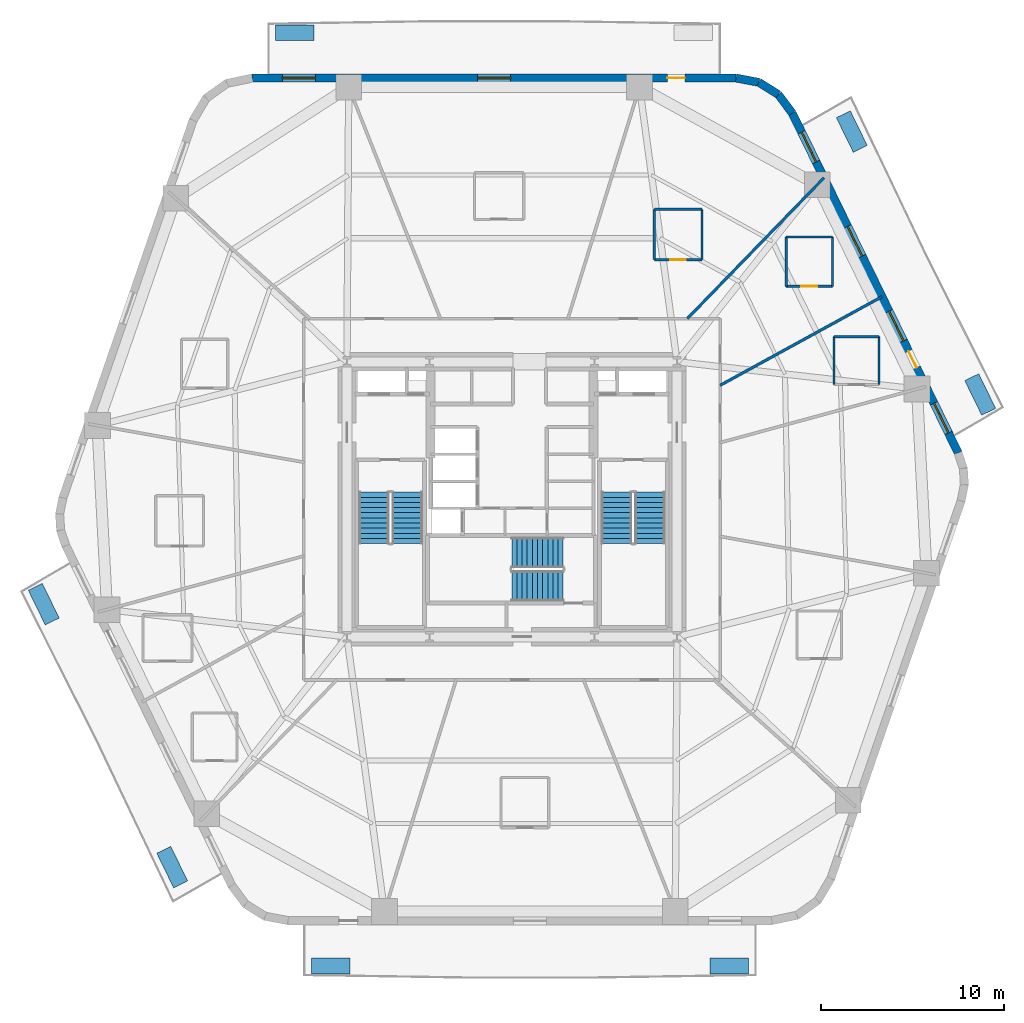
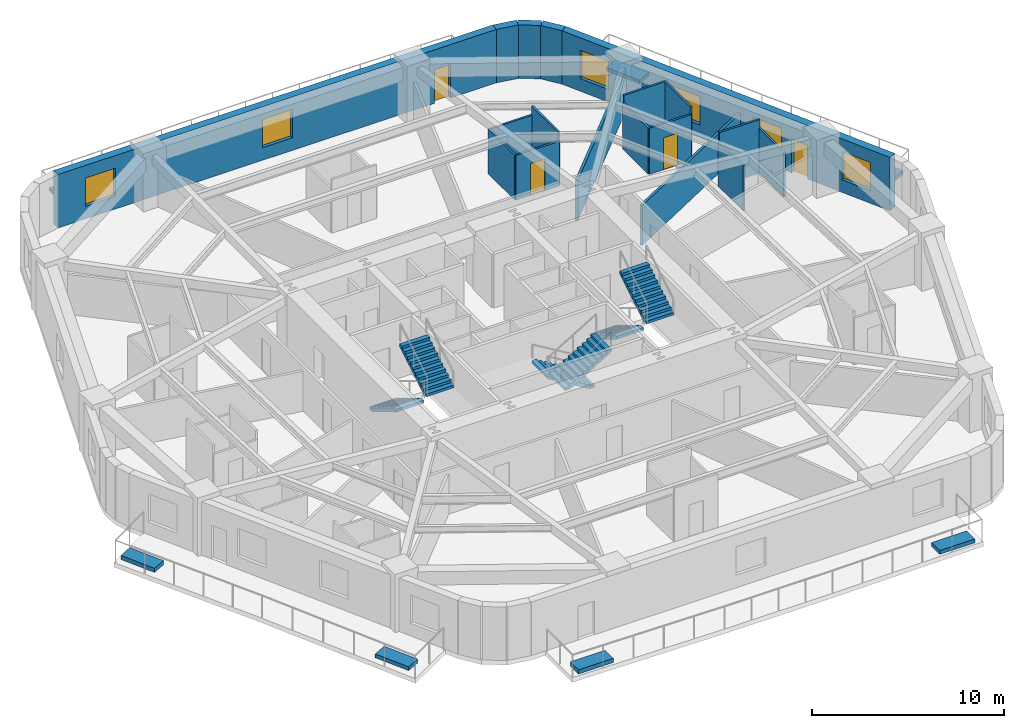
# One storey, part 6 of 10: 18 walls, 7 discrete accessories, 6 stair flights, 6 windows, 4 doors, 10 openings, 3 elements without a shape of their own.
"""IFC4 building model written with IfcOpenShell, lengths in metres."""

from ifc_helpers import new_model, si_unit, direction, frame, frame_2d, origin, origin_2d, place, context, subcontext, project, spatial, polyline, rectangle, outline, extrude, material, layer, layer_set, type_object, element, fill, aggregate, save


model = new_model("IFC4")

# Units and contexts
model_context = context("Model", 3, precision=1e-05, world=origin(), true_north=direction((0.0, 1.0)))
body_context = subcontext(model_context, "Body", "Model", "MODEL_VIEW")
ifc_project = project(units=[si_unit("LENGTHUNIT", "METRE"), si_unit("AREAUNIT", "SQUARE_METRE"), si_unit("VOLUMEUNIT", "CUBIC_METRE"), si_unit("PLANEANGLEUNIT", "RADIAN"), si_unit("MASSUNIT", "GRAM", prefix="KILO")], contexts=[model_context])

# Site, building, storey
site_placement = place(None, origin())
site = spatial("IfcSite", under=ifc_project, at=site_placement, CompositionType="ELEMENT")
building_placement = place(site_placement, origin())
building = spatial("IfcBuilding", under=site, at=building_placement, Name="Kilnhurst Terrace Hotel", CompositionType="ELEMENT")
storey_placement = place(building_placement, frame((0.0, 0.0, 63.800048828125)))
storey = spatial("IfcBuildingStorey", under=building, at=storey_placement, Name="L14", CompositionType="ELEMENT", Elevation=63.800048828125)

# Walls
ifc_material_1 = material(Name="Precast concrete C40/50", Category="concrete")
ifc_layer_1 = layer(ifc_material_1, 0.449951171875, Name="Precast concrete C40/50")
ifc_layer_set_1 = layer_set([ifc_layer_1], Name="Precast concrete C40/50")
wall_type_1 = type_object("IfcWallType", Name="WL-BRK-450", PredefinedType="SOLIDWALL", material=ifc_layer_set_1)
wall_1_placement = place(storey_placement, frame((15.28369140625, 21.0625, 0.0), z_axis=(0.0, 0.0, 1.0), x_axis=(-0.597595366449, 0.801797841104, 0.0)))
element("IfcWall", 1, at=wall_1_placement, inside=storey, type_object=wall_type_1, Name="L14 Rounded Corner Brick Wall C4.1", PredefinedType="SOLIDWALL", context=body_context, shape_type="SweptSolid", body=[
    extrude(rectangle(XDim=1.2685546875, YDim=0.449951171875, at=frame_2d((0.63427734375, 0.0))), origin(), (0.0, 0.0, 1.0), 3.39990234375),
])
wall_2_placement = place(storey_placement, frame((14.525634765625, 22.07958984375, 0.0), z_axis=(0.0, 0.0, 1.0), x_axis=(-0.848185203596, 0.529699783275, 0.0)))
element("IfcWall", 2, at=wall_2_placement, inside=storey, type_object=wall_type_1, Name="L14 Rounded Corner Brick Wall C4.2", PredefinedType="SOLIDWALL", context=body_context, shape_type="SweptSolid", body=[
    extrude(rectangle(XDim=1.247314453125, YDim=0.449951171875, at=frame_2d((0.62353515625, 0.0))), origin(), (0.0, 0.0, 1.0), 3.39990234375),
])
wall_3_placement = place(storey_placement, frame((13.4677734375, 22.740234375, 0.0), z_axis=(0.0, 0.0, 1.0), x_axis=(-0.982717174228, 0.185113358451, 0.0)))
element("IfcWall", 3, at=wall_3_placement, inside=storey, type_object=wall_type_1, Name="L14 Rounded Corner Brick Wall C4.3", PredefinedType="SOLIDWALL", context=body_context, shape_type="SweptSolid", body=[
    extrude(rectangle(XDim=1.268798828125, YDim=0.449951171875, at=frame_2d((0.63427734375, 0.0))), origin(), (0.0, 0.0, 1.0), 3.39990234375),
])

# Wall, openings, door, windows
wall_4_placement = place(storey_placement, frame((24.335693359375, 2.532470703125, 0.0), z_axis=(0.0, 0.0, 1.0), x_axis=(-0.438931326393, 0.898520612291, 0.0)))
wall_4 = element("IfcWall", 4, at=wall_4_placement, inside=storey, type_object=wall_type_1, Name="L14 Exterior Brick Facade Wall F3", PredefinedType="SOLIDWALL", context=body_context, shape_type="SweptSolid", body=[
    extrude(rectangle(XDim=20.622802734375, YDim=0.449951171875, at=frame_2d((10.3115234375, 0.0))), origin(), (0.0, 0.0, 1.0), 3.39990234375),
])
opening_1_placement = place(wall_4_placement, frame((5.1708984375, 0.0, 0.0)))
opening_1 = element("IfcOpeningElement", 5, at=opening_1_placement, cuts=wall_4, Name="Opening BD-1000", PredefinedType="OPENING", context=body_context, shape_type="SweptSolid", body=[
    extrude(rectangle(XDim=1.0, YDim=2.14990234375, at=frame_2d((0.5, 1.074951171875))), frame((0.0, 0.23486328125, 0.0), z_axis=(0.0, -1.0, 0.0), x_axis=(1.0, 0.0, 0.0)), (0.0, 0.0, 1.0), 0.469970703125),
])
opening_2_placement = place(wall_4_placement, frame((6.800048828125, 0.0, 0.800048828125)))
opening_2 = element("IfcOpeningElement", 6, at=opening_2_placement, cuts=wall_4, Name="Opening W-01", PredefinedType="OPENING", context=body_context, shape_type="SweptSolid", body=[
    extrude(rectangle(XDim=1.800048828125, YDim=1.800048828125, at=frame_2d((0.89990234375, 0.89990234375))), frame((0.0, 0.23486328125, 0.0), z_axis=(0.0, -1.0, 0.0), x_axis=(1.0, 0.0, 0.0)), (0.0, 0.0, 1.0), 0.469970703125),
])
opening_3_placement = place(wall_4_placement, frame((11.94189453125, 0.0, 0.800048828125)))
opening_3 = element("IfcOpeningElement", 7, at=opening_3_placement, cuts=wall_4, Name="Opening W-01", PredefinedType="OPENING", context=body_context, shape_type="SweptSolid", body=[
    extrude(rectangle(XDim=1.800048828125, YDim=1.800048828125, at=frame_2d((0.89990234375, 0.89990234375))), frame((0.0, 0.23486328125, 0.0), z_axis=(0.0, -1.0, 0.0), x_axis=(1.0, 0.0, 0.0)), (0.0, 0.0, 1.0), 0.469970703125),
])
opening_4_placement = place(wall_4_placement, frame((17.659912109375, 0.0, 0.800048828125)))
opening_4 = element("IfcOpeningElement", 8, at=opening_4_placement, cuts=wall_4, Name="Opening W-01", PredefinedType="OPENING", context=body_context, shape_type="SweptSolid", body=[
    extrude(rectangle(XDim=1.800048828125, YDim=1.800048828125, at=frame_2d((0.89990234375, 0.89990234375))), frame((0.0, 0.23486328125, 0.0), z_axis=(0.0, -1.0, 0.0), x_axis=(1.0, 0.0, 0.0)), (0.0, 0.0, 1.0), 0.469970703125),
])
opening_5_placement = place(wall_4_placement, frame((1.214111328125, 0.0, 0.800048828125)))
opening_5 = element("IfcOpeningElement", 9, at=opening_5_placement, cuts=wall_4, Name="Opening W-01", PredefinedType="OPENING", context=body_context, shape_type="SweptSolid", body=[
    extrude(rectangle(XDim=1.800048828125, YDim=1.800048828125, at=frame_2d((0.89990234375, 0.89990234375))), frame((0.0, 0.23486328125, 0.0), z_axis=(0.0, -1.0, 0.0), x_axis=(1.0, 0.0, 0.0)), (0.0, 0.0, 1.0), 0.469970703125),
])
ifc_material_2 = material(Name="Thermally Broken Bronze Aluminium Alloy 6063-T6 and Laminated Glass", Category="aluminium")
door_type_1 = type_object("IfcDoorType", Name="DR-EXT-BAL-1000", OperationType="NOTDEFINED", PredefinedType="DOOR", material=ifc_material_2)
door_1_placement = place(opening_1_placement, origin())
door_1 = element("IfcDoor", 10, at=door_1_placement, inside=storey, type_object=door_type_1, Name="L14 Planted Balcony Door BAL-L1A", OperationType="SINGLE_SWING_LEFT", OverallHeight=2.14990234375, OverallWidth=1.0, PredefinedType="DOOR", context=body_context, shape_type="SweptSolid", body=[
    extrude(rectangle(XDim=1.0, YDim=2.14990234375, at=frame_2d((0.5, 1.074951171875))), frame((0.0, 0.02490234375, 0.0), z_axis=(0.0, -1.0, 0.0), x_axis=(1.0, 0.0, 0.0)), (0.0, 0.0, 1.0), 0.050048828125),
])
fill(opening_1, door_1)
ifc_material_3 = material(Name="Thermally Broken Bronze Aluminium Alloy 6063-T6 and Low-E Glass", Category="aluminium")
window_type = type_object("IfcWindowType", Name="WIN-1800X1800", PartitioningType="SINGLE_PANEL", PredefinedType="WINDOW", material=ifc_material_3)
window_1_placement = place(opening_2_placement, origin())
window_1 = element("IfcWindow", 11, at=window_1_placement, inside=storey, type_object=window_type, Name="L14 Deep-Set Masonry Window F3.1", OverallHeight=1.800048828125, OverallWidth=1.800048828125, PartitioningType="SINGLE_PANEL", PredefinedType="WINDOW", context=body_context, shape_type="SweptSolid", body=[
    extrude(rectangle(XDim=1.800048828125, YDim=1.800048828125, at=frame_2d((0.89990234375, 0.89990234375))), frame((0.0, 0.030029296875, 0.0), z_axis=(0.0, -1.0, 0.0), x_axis=(1.0, 0.0, 0.0)), (0.0, 0.0, 1.0), 0.06005859375),
])
fill(opening_2, window_1)
window_2_placement = place(opening_3_placement, origin())
window_2 = element("IfcWindow", 12, at=window_2_placement, inside=storey, type_object=window_type, Name="L14 Deep-Set Masonry Window F3.2", OverallHeight=1.800048828125, OverallWidth=1.800048828125, PartitioningType="SINGLE_PANEL", PredefinedType="WINDOW", context=body_context, shape_type="SweptSolid", body=[
    extrude(rectangle(XDim=1.800048828125, YDim=1.800048828125, at=frame_2d((0.89990234375, 0.89990234375))), frame((0.0, 0.030029296875, 0.0), z_axis=(0.0, -1.0, 0.0), x_axis=(1.0, 0.0, 0.0)), (0.0, 0.0, 1.0), 0.06005859375),
])
fill(opening_3, window_2)
window_3_placement = place(opening_4_placement, origin())
window_3 = element("IfcWindow", 13, at=window_3_placement, inside=storey, type_object=window_type, Name="L14 Deep-Set Masonry Window F3.3", OverallHeight=1.800048828125, OverallWidth=1.800048828125, PartitioningType="SINGLE_PANEL", PredefinedType="WINDOW", context=body_context, shape_type="SweptSolid", body=[
    extrude(rectangle(XDim=1.800048828125, YDim=1.800048828125, at=frame_2d((0.89990234375, 0.89990234375))), frame((0.0, 0.030029296875, 0.0), z_axis=(0.0, -1.0, 0.0), x_axis=(1.0, 0.0, 0.0)), (0.0, 0.0, 1.0), 0.06005859375),
])
fill(opening_4, window_3)
window_4_placement = place(opening_5_placement, origin())
window_4 = element("IfcWindow", 14, at=window_4_placement, inside=storey, type_object=window_type, Name="L14 Deep-Set Masonry Window F3.4", OverallHeight=1.800048828125, OverallWidth=1.800048828125, PartitioningType="SINGLE_PANEL", PredefinedType="WINDOW", context=body_context, shape_type="SweptSolid", body=[
    extrude(rectangle(XDim=1.800048828125, YDim=1.800048828125, at=frame_2d((0.89990234375, 0.89990234375))), frame((0.0, 0.030029296875, 0.0), z_axis=(0.0, -1.0, 0.0), x_axis=(1.0, 0.0, 0.0)), (0.0, 0.0, 1.0), 0.06005859375),
])
fill(opening_5, window_4)

wall_5_placement = place(storey_placement, frame((12.220947265625, 22.97509765625, 0.0), z_axis=(0.0, 0.0, 1.0), x_axis=(-1.0, 0.0, 0.0)))
wall_5 = element("IfcWall", 15, at=wall_5_placement, inside=storey, type_object=wall_type_1, Name="L14 Exterior Brick Facade Wall F4", PredefinedType="SOLIDWALL", context=body_context, shape_type="SweptSolid", body=[
    extrude(rectangle(XDim=26.38916015625, YDim=0.449951171875, at=frame_2d((13.194580078125, 0.0))), origin(), (0.0, 0.0, 1.0), 3.39990234375),
])
opening_6_placement = place(wall_5_placement, frame((2.799072265625, 0.0, 0.0)))
opening_6 = element("IfcOpeningElement", 16, at=opening_6_placement, cuts=wall_5, Name="Opening BD-950", PredefinedType="OPENING", context=body_context, shape_type="SweptSolid", body=[
    extrude(rectangle(XDim=0.949951171875, YDim=2.14990234375, at=frame_2d((0.47509765625, 1.074951171875))), frame((0.0, 0.23486328125, 0.0), z_axis=(0.0, -1.0, 0.0), x_axis=(1.0, 0.0, 0.0)), (0.0, 0.0, 1.0), 0.469970703125),
])
opening_7_placement = place(wall_5_placement, frame((12.2958984375, 0.0, 0.800048828125)))
opening_7 = element("IfcOpeningElement", 17, at=opening_7_placement, cuts=wall_5, Name="Opening W-01", PredefinedType="OPENING", context=body_context, shape_type="SweptSolid", body=[
    extrude(rectangle(XDim=1.800048828125, YDim=1.800048828125, at=frame_2d((0.89990234375, 0.89990234375))), frame((0.0, 0.23486328125, 0.0), z_axis=(0.0, -1.0, 0.0), x_axis=(1.0, 0.0, 0.0)), (0.0, 0.0, 1.0), 0.469970703125),
])
opening_8_placement = place(wall_5_placement, frame((22.93798828125, 0.0, 0.800048828125)))
opening_8 = element("IfcOpeningElement", 18, at=opening_8_placement, cuts=wall_5, Name="Opening W-01", PredefinedType="OPENING", context=body_context, shape_type="SweptSolid", body=[
    extrude(rectangle(XDim=1.800048828125, YDim=1.800048828125, at=frame_2d((0.89990234375, 0.89990234375))), frame((0.0, 0.23486328125, 0.0), z_axis=(0.0, -1.0, 0.0), x_axis=(1.0, 0.0, 0.0)), (0.0, 0.0, 1.0), 0.469970703125),
])
door_type_2 = type_object("IfcDoorType", Name="DR-EXT-BAL-950", OperationType="NOTDEFINED", PredefinedType="DOOR", material=ifc_material_2)
door_2_placement = place(opening_6_placement, origin())
door_2 = element("IfcDoor", 19, at=door_2_placement, inside=storey, type_object=door_type_2, Name="L14 Planted Balcony Door BAL-L1B", OperationType="SINGLE_SWING_RIGHT", OverallHeight=2.14990234375, OverallWidth=0.949951171875, PredefinedType="DOOR", context=body_context, shape_type="SweptSolid", body=[
    extrude(rectangle(XDim=0.949951171875, YDim=2.14990234375, at=frame_2d((0.47509765625, 1.074951171875))), frame((0.0, 0.02490234375, 0.0), z_axis=(0.0, -1.0, 0.0), x_axis=(1.0, 0.0, 0.0)), (0.0, 0.0, 1.0), 0.050048828125),
])
fill(opening_6, door_2)
window_5_placement = place(opening_7_placement, origin())
window_5 = element("IfcWindow", 20, at=window_5_placement, inside=storey, type_object=window_type, Name="L14 Deep-Set Masonry Window F4.1", OverallHeight=1.800048828125, OverallWidth=1.800048828125, PartitioningType="SINGLE_PANEL", PredefinedType="WINDOW", context=body_context, shape_type="SweptSolid", body=[
    extrude(rectangle(XDim=1.800048828125, YDim=1.800048828125, at=frame_2d((0.89990234375, 0.89990234375))), frame((0.0, 0.030029296875, 0.0), z_axis=(0.0, -1.0, 0.0), x_axis=(1.0, 0.0, 0.0)), (0.0, 0.0, 1.0), 0.06005859375),
])
fill(opening_7, window_5)
window_6_placement = place(opening_8_placement, origin())
window_6 = element("IfcWindow", 21, at=window_6_placement, inside=storey, type_object=window_type, Name="L14 Deep-Set Masonry Window F4.2", OverallHeight=1.800048828125, OverallWidth=1.800048828125, PartitioningType="SINGLE_PANEL", PredefinedType="WINDOW", context=body_context, shape_type="SweptSolid", body=[
    extrude(rectangle(XDim=1.800048828125, YDim=1.800048828125, at=frame_2d((0.89990234375, 0.89990234375))), frame((0.0, 0.030029296875, 0.0), z_axis=(0.0, -1.0, 0.0), x_axis=(1.0, 0.0, 0.0)), (0.0, 0.0, 1.0), 0.06005859375),
])
fill(opening_8, window_6)

# Walls
ifc_material_4 = material(Name="STC-58 Acoustic Twin-Frame Guestroom Demising Partition")
ifc_layer_2 = layer(ifc_material_4, 0.14990234375, Name="STC-58 Acoustic Twin-Frame Guestroom Demising Partition")
ifc_layer_set_2 = layer_set([ifc_layer_2], Name="STC-58 Acoustic Twin-Frame Guestroom Demising Partition")
wall_type_2 = type_object("IfcWallType", Name="WL-DEM-150", PredefinedType="PARTITIONING", material=ifc_layer_set_2)
wall_6_placement = place(storey_placement, frame((11.35009765625, 6.216552734375, 0.0), z_axis=(0.0, 0.0, 1.0), x_axis=(0.877047587135, 0.480403507378, 0.0)))
element("IfcWall", 22, at=wall_6_placement, inside=storey, type_object=wall_type_2, Name="L14 Interior Wall WL-L14-DEM-MID01-02-1", PredefinedType="PARTITIONING", context=body_context, shape_type="SweptSolid", body=[
    extrude(rectangle(XDim=10.061767578125, YDim=0.14990234375, at=frame_2d((5.03076171875, 0.0))), origin(), (0.0, 0.0, 1.0), 2.5400390625),
])
wall_7_placement = place(storey_placement, frame((9.5576171875, 9.85009765625, 0.0), z_axis=(0.0, 0.0, 1.0), x_axis=(0.69638346089, 0.717669893056, 0.0)))
element("IfcWall", 23, at=wall_7_placement, inside=storey, type_object=wall_type_2, Name="L14 Interior Wall WL-L14-DEM-COL02-03-1", PredefinedType="PARTITIONING", context=body_context, shape_type="SweptSolid", body=[
    extrude(rectangle(XDim=10.700927734375, YDim=0.14990234375, at=frame_2d((5.3505859375, 0.0))), origin(), (0.0, 0.0, 1.0), 2.5400390625),
])
ifc_material_5 = material(Name="120 mm Moisture-Resistant Tile-Backed Bathroom Partition")
ifc_layer_3 = layer(ifc_material_5, 0.1201171875, Name="120 mm Moisture-Resistant Tile-Backed Bathroom Partition")
ifc_layer_set_3 = layer_set([ifc_layer_3], Name="120 mm Moisture-Resistant Tile-Backed Bathroom Partition")
wall_type_3 = type_object("IfcWallType", Name="WL-PART-120", PredefinedType="PARTITIONING", material=ifc_layer_set_3)
wall_8_placement = place(storey_placement, frame((20.007080078125, 6.258056640625, 0.0), z_axis=(0.0, 0.0, 1.0), x_axis=(0.0, 1.0, 0.0)))
element("IfcWall", 24, at=wall_8_placement, inside=storey, type_object=wall_type_3, Name="L14 Interior Wall WL-L14-BTH-01-2", PredefinedType="PARTITIONING", context=body_context, shape_type="SweptSolid", body=[
    extrude(rectangle(XDim=2.60986328125, YDim=0.1201171875, at=frame_2d((1.304931640625, 0.0))), origin(), (0.0, 0.0, 1.0), 2.83984375),
])
wall_9_placement = place(storey_placement, frame((20.007080078125, 8.867919921875, 0.0), z_axis=(0.0, 0.0, 1.0), x_axis=(-1.0, 0.0, 0.0)))
element("IfcWall", 25, at=wall_9_placement, inside=storey, type_object=wall_type_3, Name="L14 Interior Wall WL-L14-BTH-01-3", PredefinedType="PARTITIONING", context=body_context, shape_type="SweptSolid", body=[
    extrude(rectangle(XDim=2.440185546875, YDim=0.1201171875, at=frame_2d((1.22021484375, 0.0))), origin(), (0.0, 0.0, 1.0), 3.39990234375),
])
wall_10_placement = place(storey_placement, frame((17.56689453125, 8.867919921875, 0.0), z_axis=(0.0, 0.0, 1.0), x_axis=(0.0, -1.0, 0.0)))
element("IfcWall", 26, at=wall_10_placement, inside=storey, type_object=wall_type_3, Name="L14 Interior Wall WL-L14-BTH-01-4", PredefinedType="PARTITIONING", context=body_context, shape_type="SweptSolid", body=[
    extrude(rectangle(XDim=2.60986328125, YDim=0.1201171875, at=frame_2d((1.304931640625, 0.0))), origin(), (0.0, 0.0, 1.0), 2.83984375),
])

# Wall, opening, door
wall_11_placement = place(storey_placement, frame((14.951904296875, 11.617919921875, 0.0), z_axis=(0.0, 0.0, 1.0), x_axis=(1.0, 0.0, 0.0)))
wall_11 = element("IfcWall", 27, at=wall_11_placement, inside=storey, type_object=wall_type_3, Name="L14 Interior Wall WL-L14-BTH-02-1", PredefinedType="PARTITIONING", context=body_context, shape_type="SweptSolid", body=[
    extrude(rectangle(XDim=2.52001953125, YDim=0.1201171875, at=frame_2d((1.260009765625, 0.0))), origin(), (0.0, 0.0, 1.0), 2.926513671875),
])
opening_9_placement = place(wall_11_placement, frame((0.8349609375, 0.0, 0.0)))
opening_9 = element("IfcOpeningElement", 28, at=opening_9_placement, cuts=wall_11, Name="Opening D-08A", PredefinedType="OPENING", context=body_context, shape_type="SweptSolid", body=[
    extrude(rectangle(XDim=0.85009765625, YDim=2.030029296875, at=frame_2d((0.425048828125, 1.01513671875))), frame((0.0, 0.070068359375, 0.0), z_axis=(0.0, -1.0, 0.0), x_axis=(1.0, 0.0, 0.0)), (0.0, 0.0, 1.0), 0.14013671875),
])
ifc_material_6 = material(Name="Moisture-Resistant Lacquered En-suite Bathroom Door")
door_type_3 = type_object("IfcDoorType", Name="DR-INT-850", OperationType="NOTDEFINED", PredefinedType="DOOR", material=ifc_material_6)
door_3_placement = place(opening_9_placement, origin())
door_3 = element("IfcDoor", 29, at=door_3_placement, inside=storey, type_object=door_type_3, Name="L14 En-suite Bathroom Door 2", OperationType="SINGLE_SWING_LEFT", OverallHeight=2.030029296875, OverallWidth=0.85009765625, PredefinedType="DOOR", context=body_context, shape_type="SweptSolid", body=[
    extrude(rectangle(XDim=0.85009765625, YDim=2.030029296875, at=frame_2d((0.425048828125, 1.01513671875))), frame((0.0, 0.02490234375, 0.0), z_axis=(0.0, -1.0, 0.0), x_axis=(1.0, 0.0, 0.0)), (0.0, 0.0, 1.0), 0.050048828125),
])
fill(opening_9, door_3)

# Walls
wall_12_placement = place(storey_placement, frame((17.471923828125, 11.617919921875, 0.0), z_axis=(0.0, 0.0, 1.0), x_axis=(0.0, 1.0, 0.0)))
element("IfcWall", 30, at=wall_12_placement, inside=storey, type_object=wall_type_3, Name="L14 Interior Wall WL-L14-BTH-02-2", PredefinedType="PARTITIONING", context=body_context, shape_type="SweptSolid", body=[
    extrude(rectangle(XDim=2.68017578125, YDim=0.1201171875, at=frame_2d((1.340087890625, 0.0))), origin(), (0.0, 0.0, 1.0), 3.39990234375),
])
wall_13_placement = place(storey_placement, frame((17.471923828125, 14.298095703125, 0.0), z_axis=(0.0, 0.0, 1.0), x_axis=(-1.0, 0.0, 0.0)))
element("IfcWall", 31, at=wall_13_placement, inside=storey, type_object=wall_type_3, Name="L14 Interior Wall WL-L14-BTH-02-3", PredefinedType="PARTITIONING", context=body_context, shape_type="SweptSolid", body=[
    extrude(rectangle(XDim=2.52001953125, YDim=0.1201171875, at=frame_2d((1.260009765625, 0.0))), origin(), (0.0, 0.0, 1.0), 3.39990234375),
])
wall_14_placement = place(storey_placement, frame((14.951904296875, 14.298095703125, 0.0), z_axis=(0.0, 0.0, 1.0), x_axis=(0.0, -1.0, 0.0)))
element("IfcWall", 32, at=wall_14_placement, inside=storey, type_object=wall_type_3, Name="L14 Interior Wall WL-L14-BTH-02-4", PredefinedType="PARTITIONING", context=body_context, shape_type="SweptSolid", body=[
    extrude(rectangle(XDim=2.68017578125, YDim=0.1201171875, at=frame_2d((1.340087890625, 0.0))), origin(), (0.0, 0.0, 1.0), 2.926513671875),
])

# Wall, opening, door
wall_15_placement = place(storey_placement, frame((7.758056640625, 13.06591796875, 0.0), z_axis=(0.0, 0.0, 1.0), x_axis=(1.0, 0.0, 0.0)))
wall_15 = element("IfcWall", 33, at=wall_15_placement, inside=storey, type_object=wall_type_3, Name="L14 Interior Wall WL-L14-BTH-03-1", PredefinedType="PARTITIONING", context=body_context, shape_type="SweptSolid", body=[
    extrude(rectangle(XDim=2.599853515625, YDim=0.1201171875, at=frame_2d((1.2998046875, 0.0))), origin(), (0.0, 0.0, 1.0), 2.83984375),
])
opening_10_placement = place(wall_15_placement, frame((0.875, 0.0, 0.0)))
opening_10 = element("IfcOpeningElement", 34, at=opening_10_placement, cuts=wall_15, Name="Opening D-08A", PredefinedType="OPENING", context=body_context, shape_type="SweptSolid", body=[
    extrude(rectangle(XDim=0.85009765625, YDim=2.030029296875, at=frame_2d((0.425048828125, 1.01513671875))), frame((0.0, 0.070068359375, 0.0), z_axis=(0.0, -1.0, 0.0), x_axis=(1.0, 0.0, 0.0)), (0.0, 0.0, 1.0), 0.14013671875),
])
door_4_placement = place(opening_10_placement, origin())
door_4 = element("IfcDoor", 35, at=door_4_placement, inside=storey, type_object=door_type_3, Name="L14 En-suite Bathroom Door 3", OperationType="SINGLE_SWING_RIGHT", OverallHeight=2.030029296875, OverallWidth=0.85009765625, PredefinedType="DOOR", context=body_context, shape_type="SweptSolid", body=[
    extrude(rectangle(XDim=0.85009765625, YDim=2.030029296875, at=frame_2d((0.425048828125, 1.01513671875))), frame((0.0, 0.02490234375, 0.0), z_axis=(0.0, -1.0, 0.0), x_axis=(1.0, 0.0, 0.0)), (0.0, 0.0, 1.0), 0.050048828125),
])
fill(opening_10, door_4)

# Walls
wall_16_placement = place(storey_placement, frame((10.35791015625, 13.06591796875, 0.0), z_axis=(0.0, 0.0, 1.0), x_axis=(0.0, 1.0, 0.0)))
element("IfcWall", 36, at=wall_16_placement, inside=storey, type_object=wall_type_3, Name="L14 Interior Wall WL-L14-BTH-03-2", PredefinedType="PARTITIONING", context=body_context, shape_type="SweptSolid", body=[
    extrude(rectangle(XDim=2.75, YDim=0.1201171875, at=frame_2d((1.375, 0.0))), origin(), (0.0, 0.0, 1.0), 3.39990234375),
])
wall_17_placement = place(storey_placement, frame((10.35791015625, 15.81591796875, 0.0), z_axis=(0.0, 0.0, 1.0), x_axis=(-1.0, 0.0, 0.0)))
element("IfcWall", 37, at=wall_17_placement, inside=storey, type_object=wall_type_3, Name="L14 Interior Wall WL-L14-BTH-03-3", PredefinedType="PARTITIONING", context=body_context, shape_type="SweptSolid", body=[
    extrude(rectangle(XDim=2.599853515625, YDim=0.1201171875, at=frame_2d((1.2998046875, 0.0))), origin(), (0.0, 0.0, 1.0), 2.83984375),
])
wall_18_placement = place(storey_placement, frame((7.758056640625, 15.81591796875, 0.0), z_axis=(0.0, 0.0, 1.0), x_axis=(0.0, -1.0, 0.0)))
element("IfcWall", 38, at=wall_18_placement, inside=storey, type_object=wall_type_3, Name="L14 Interior Wall WL-L14-BTH-03-4", PredefinedType="PARTITIONING", context=body_context, shape_type="SweptSolid", body=[
    extrude(rectangle(XDim=2.75, YDim=0.1201171875, at=frame_2d((1.375, 0.0))), origin(), (0.0, 0.0, 1.0), 2.83984375),
])

# Stair, stair flights
ifc_material_7 = material(Name="Concrete C50/60", Category="concrete")
stair_type = type_object("IfcStairType", Name="STR-CORE-1660", PredefinedType="HALF_TURN_STAIR", material=ifc_material_7)
stair_1_placement = place(storey_placement, origin())
stair_1 = element("IfcStair", 39, at=stair_1_placement, inside=storey, type_object=stair_type, Name="L14 ST-1", PredefinedType="HALF_TURN_STAIR")
stair_flight_type = type_object("IfcStairFlightType", Name="FLT-RC-1660", PredefinedType="STRAIGHT", material=ifc_material_7)
stair_flight_1_placement = place(storey_placement, frame((-7.52001953125, 0.389892578125, 0.0), z_axis=(0.0, 0.0, 1.0), x_axis=(0.0, -1.0, 0.0)))
stair_flight_1 = element("IfcStairFlight", 40, at=stair_flight_1_placement, type_object=stair_flight_type, Name="ST-1 flight 1", NumberOfRisers=11, NumberOfTreads=10, PredefinedType="STRAIGHT", RiserHeight=0.168181818, TreadLength=0.28, context=body_context, shape_type="SweptSolid", body=[
    extrude(outline(polyline([(0.0, 0.0), (0.0, 0.168212890625), (0.280029296875, 0.168212890625), (0.280029296875, 0.33642578125), (0.56005859375, 0.33642578125), (0.56005859375, 0.504638671875), (0.840087890625, 0.504638671875), (0.840087890625, 0.672607421875), (1.1201171875, 0.672607421875), (1.1201171875, 0.8408203125), (1.39990234375, 0.8408203125), (1.39990234375, 1.009033203125), (1.679931640625, 1.009033203125), (1.679931640625, 1.17724609375), (1.9599609375, 1.17724609375), (1.9599609375, 1.345458984375), (2.239990234375, 1.345458984375), (2.239990234375, 1.513671875), (2.52001953125, 1.513671875), (2.52001953125, 1.681884765625), (2.800048828125, 1.681884765625), (2.800048828125, 1.85009765625), (2.800048828125, 1.5068359375), (0.291015625, 0.0), (0.0, 0.0)])), frame((0.0, 0.830078125, 0.0), z_axis=(0.0, -1.0, 0.0), x_axis=(1.0, 0.0, 0.0)), (0.0, 0.0, 1.0), 1.659912109375),
])
stair_flight_2_placement = place(storey_placement, frame((-5.7099609375, -2.409912109375, 1.849853515625), z_axis=(0.0, 0.0, 1.0), x_axis=(0.0, 1.0, 0.0)))
stair_flight_2 = element("IfcStairFlight", 41, at=stair_flight_2_placement, type_object=stair_flight_type, Name="ST-1 flight 2", NumberOfRisers=11, NumberOfTreads=10, PredefinedType="STRAIGHT", RiserHeight=0.168181818, TreadLength=0.28, context=body_context, shape_type="SweptSolid", body=[
    extrude(outline(polyline([(0.0, 0.0), (0.0, 0.168212890625), (0.280029296875, 0.168212890625), (0.280029296875, 0.33642578125), (0.56005859375, 0.33642578125), (0.56005859375, 0.504638671875), (0.840087890625, 0.504638671875), (0.840087890625, 0.672607421875), (1.1201171875, 0.672607421875), (1.1201171875, 0.8408203125), (1.39990234375, 0.8408203125), (1.39990234375, 1.009033203125), (1.679931640625, 1.009033203125), (1.679931640625, 1.17724609375), (1.9599609375, 1.17724609375), (1.9599609375, 1.345458984375), (2.239990234375, 1.345458984375), (2.239990234375, 1.513671875), (2.52001953125, 1.513671875), (2.52001953125, 1.681884765625), (2.800048828125, 1.681884765625), (2.800048828125, 1.85009765625), (2.800048828125, 1.5068359375), (0.291015625, 0.0), (0.0, 0.0)])), frame((0.0, 0.830078125, 0.0), z_axis=(0.0, -1.0, 0.0), x_axis=(1.0, 0.0, 0.0)), (0.0, 0.0, 1.0), 1.659912109375),
])
aggregate(stair_1, [stair_flight_1, stair_flight_2])

stair_2_placement = place(storey_placement, origin())
stair_2 = element("IfcStair", 42, at=stair_2_placement, inside=storey, type_object=stair_type, Name="L14 ST-2", PredefinedType="HALF_TURN_STAIR")
stair_flight_3_placement = place(storey_placement, frame((5.7099609375, 0.389892578125, 0.0), z_axis=(0.0, 0.0, 1.0), x_axis=(0.0, -1.0, 0.0)))
stair_flight_3 = element("IfcStairFlight", 43, at=stair_flight_3_placement, type_object=stair_flight_type, Name="ST-2 flight 1", NumberOfRisers=11, NumberOfTreads=10, PredefinedType="STRAIGHT", RiserHeight=0.168181818, TreadLength=0.28, context=body_context, shape_type="SweptSolid", body=[
    extrude(outline(polyline([(0.0, 0.0), (0.0, 0.168212890625), (0.280029296875, 0.168212890625), (0.280029296875, 0.33642578125), (0.56005859375, 0.33642578125), (0.56005859375, 0.504638671875), (0.840087890625, 0.504638671875), (0.840087890625, 0.672607421875), (1.1201171875, 0.672607421875), (1.1201171875, 0.8408203125), (1.39990234375, 0.8408203125), (1.39990234375, 1.009033203125), (1.679931640625, 1.009033203125), (1.679931640625, 1.17724609375), (1.9599609375, 1.17724609375), (1.9599609375, 1.345458984375), (2.239990234375, 1.345458984375), (2.239990234375, 1.513671875), (2.52001953125, 1.513671875), (2.52001953125, 1.681884765625), (2.800048828125, 1.681884765625), (2.800048828125, 1.85009765625), (2.800048828125, 1.5068359375), (0.291015625, 0.0), (0.0, 0.0)])), frame((0.0, 0.830078125, 0.0), z_axis=(0.0, -1.0, 0.0), x_axis=(1.0, 0.0, 0.0)), (0.0, 0.0, 1.0), 1.659912109375),
])
stair_flight_4_placement = place(storey_placement, frame((7.52001953125, -2.409912109375, 1.849853515625), z_axis=(0.0, 0.0, 1.0), x_axis=(0.0, 1.0, 0.0)))
stair_flight_4 = element("IfcStairFlight", 44, at=stair_flight_4_placement, type_object=stair_flight_type, Name="ST-2 flight 2", NumberOfRisers=11, NumberOfTreads=10, PredefinedType="STRAIGHT", RiserHeight=0.168181818, TreadLength=0.28, context=body_context, shape_type="SweptSolid", body=[
    extrude(outline(polyline([(0.0, 0.0), (0.0, 0.168212890625), (0.280029296875, 0.168212890625), (0.280029296875, 0.33642578125), (0.56005859375, 0.33642578125), (0.56005859375, 0.504638671875), (0.840087890625, 0.504638671875), (0.840087890625, 0.672607421875), (1.1201171875, 0.672607421875), (1.1201171875, 0.8408203125), (1.39990234375, 0.8408203125), (1.39990234375, 1.009033203125), (1.679931640625, 1.009033203125), (1.679931640625, 1.17724609375), (1.9599609375, 1.17724609375), (1.9599609375, 1.345458984375), (2.239990234375, 1.345458984375), (2.239990234375, 1.513671875), (2.52001953125, 1.513671875), (2.52001953125, 1.681884765625), (2.800048828125, 1.681884765625), (2.800048828125, 1.85009765625), (2.800048828125, 1.5068359375), (0.291015625, 0.0), (0.0, 0.0)])), frame((0.0, 0.830078125, 0.0), z_axis=(0.0, -1.0, 0.0), x_axis=(1.0, 0.0, 0.0)), (0.0, 0.0, 1.0), 1.659912109375),
])
aggregate(stair_2, [stair_flight_3, stair_flight_4])

stair_3_placement = place(storey_placement, origin())
stair_3 = element("IfcStair", 45, at=stair_3_placement, inside=storey, type_object=stair_type, Name="L14 ST-3", PredefinedType="HALF_TURN_STAIR")
stair_flight_5_placement = place(storey_placement, frame((2.7900390625, -2.909912109375, 0.0), z_axis=(0.0, 0.0, 1.0), x_axis=(-1.0, 0.0, 0.0)))
stair_flight_5 = element("IfcStairFlight", 46, at=stair_flight_5_placement, type_object=stair_flight_type, Name="ST-3 flight 1", NumberOfRisers=11, NumberOfTreads=10, PredefinedType="STRAIGHT", RiserHeight=0.168181818, TreadLength=0.28, context=body_context, shape_type="SweptSolid", body=[
    extrude(outline(polyline([(0.0, 0.0), (0.0, 0.168212890625), (0.280029296875, 0.168212890625), (0.280029296875, 0.33642578125), (0.56005859375, 0.33642578125), (0.56005859375, 0.504638671875), (0.840087890625, 0.504638671875), (0.840087890625, 0.672607421875), (1.1201171875, 0.672607421875), (1.1201171875, 0.8408203125), (1.39990234375, 0.8408203125), (1.39990234375, 1.009033203125), (1.679931640625, 1.009033203125), (1.679931640625, 1.17724609375), (1.9599609375, 1.17724609375), (1.9599609375, 1.345458984375), (2.239990234375, 1.345458984375), (2.239990234375, 1.513671875), (2.52001953125, 1.513671875), (2.52001953125, 1.681884765625), (2.800048828125, 1.681884765625), (2.800048828125, 1.85009765625), (2.800048828125, 1.5068359375), (0.291015625, 0.0), (0.0, 0.0)])), frame((0.0, 0.830078125, 0.0), z_axis=(0.0, -1.0, 0.0), x_axis=(1.0, 0.0, 0.0)), (0.0, 0.0, 1.0), 1.659912109375),
])
stair_flight_6_placement = place(storey_placement, frame((-0.010009765625, -4.719970703125, 1.849853515625), z_axis=(0.0, 0.0, 1.0), x_axis=(1.0, 0.0, 0.0)))
stair_flight_6 = element("IfcStairFlight", 47, at=stair_flight_6_placement, type_object=stair_flight_type, Name="ST-3 flight 2", NumberOfRisers=11, NumberOfTreads=10, PredefinedType="STRAIGHT", RiserHeight=0.168181818, TreadLength=0.28, context=body_context, shape_type="SweptSolid", body=[
    extrude(outline(polyline([(0.0, 0.0), (0.0, 0.168212890625), (0.280029296875, 0.168212890625), (0.280029296875, 0.33642578125), (0.56005859375, 0.33642578125), (0.56005859375, 0.504638671875), (0.840087890625, 0.504638671875), (0.840087890625, 0.672607421875), (1.1201171875, 0.672607421875), (1.1201171875, 0.8408203125), (1.39990234375, 0.8408203125), (1.39990234375, 1.009033203125), (1.679931640625, 1.009033203125), (1.679931640625, 1.17724609375), (1.9599609375, 1.17724609375), (1.9599609375, 1.345458984375), (2.239990234375, 1.345458984375), (2.239990234375, 1.513671875), (2.52001953125, 1.513671875), (2.52001953125, 1.681884765625), (2.800048828125, 1.681884765625), (2.800048828125, 1.85009765625), (2.800048828125, 1.5068359375), (0.291015625, 0.0), (0.0, 0.0)])), frame((0.0, 0.830078125, 0.0), z_axis=(0.0, -1.0, 0.0), x_axis=(1.0, 0.0, 0.0)), (0.0, 0.0, 1.0), 1.659912109375),
])
aggregate(stair_3, [stair_flight_5, stair_flight_6])

# Discrete accessories
ifc_material_8 = material(Name="Precast Concrete C40/50 Shrub Planter", Category="concrete")
discrete_accessory_type_1 = type_object("IfcDiscreteAccessoryType", Name="PLN-SHRUB-240", PredefinedType="USERDEFINED", material=ifc_material_8)
for number, where, z_axis, x_axis, name in (
    (48, (18.52978515625, 20.05615234375, 0.0), (0.0, 0.0, 1.0), (-0.438935789176, 0.898518432188, 0.0), "L14 Structural Tree Planter Box PLANTER BAL-L1A.2"),
    (49, (-11.841552734375, 25.449951171875, 0.0), (0.0, 0.0, 1.0), (-1.0, 0.0, 0.0), "L14 Structural Tree Planter Box PLANTER BAL-L1B.2"),
    (50, (-18.52978515625, -20.05615234375, 0.0), (0.0, 0.0, 1.0), (0.438935789176, -0.898518432188, 0.0), "L14 Structural Tree Planter Box PLANTER BAL-L2A.2"),
    (51, (11.841552734375, -25.449951171875, 0.0), (0.0, 0.0, 1.0), (1.0, 0.0, 0.0), "L14 Structural Tree Planter Box PLANTER BAL-L2B.2"),
):
    element("IfcDiscreteAccessory", number, at=place(storey_placement, frame(where, z_axis=z_axis, x_axis=x_axis)), inside=storey, type_object=discrete_accessory_type_1, Name=name, ObjectType="PLANTER", PredefinedType="USERDEFINED", context=body_context, shape_type="SweptSolid", body=[
        extrude(rectangle(XDim=2.10009765625, YDim=0.85009765625, at=origin_2d()), origin(), (0.0, 0.0, 1.0), 0.239990234375),
    ])
ifc_material_9 = material(Name="Precast Concrete C40/50 Tree Planter", Category="concrete")
discrete_accessory_type_2 = type_object("IfcDiscreteAccessoryType", Name="PLN-TREE-260", PredefinedType="USERDEFINED", material=ifc_material_9)
for number, where, z_axis, x_axis, name in (
    (52, (25.534423828125, 5.717041015625, 0.0), (0.0, 0.0, 1.0), (-0.438935789176, 0.898518432188, 0.0), "L14 Structural Tree Planter Box PLANTER BAL-L1A.1"),
    (53, (-25.534423828125, -5.717041015625, 0.0), (0.0, 0.0, 1.0), (0.438935789176, -0.898518432188, 0.0), "L14 Structural Tree Planter Box PLANTER BAL-L2A.1"),
    (54, (-9.89208984375, -25.449951171875, 0.0), (0.0, 0.0, 1.0), (1.0, 0.0, 0.0), "L14 Structural Tree Planter Box PLANTER BAL-L2B.1"),
):
    element("IfcDiscreteAccessory", number, at=place(storey_placement, frame(where, z_axis=z_axis, x_axis=x_axis)), inside=storey, type_object=discrete_accessory_type_2, Name=name, ObjectType="PLANTER", PredefinedType="USERDEFINED", context=body_context, shape_type="SweptSolid", body=[
        extrude(rectangle(XDim=2.10009765625, YDim=0.85009765625, at=origin_2d()), origin(), (0.0, 0.0, 1.0), 0.260009765625),
    ])

save(model, "model.ifc")
